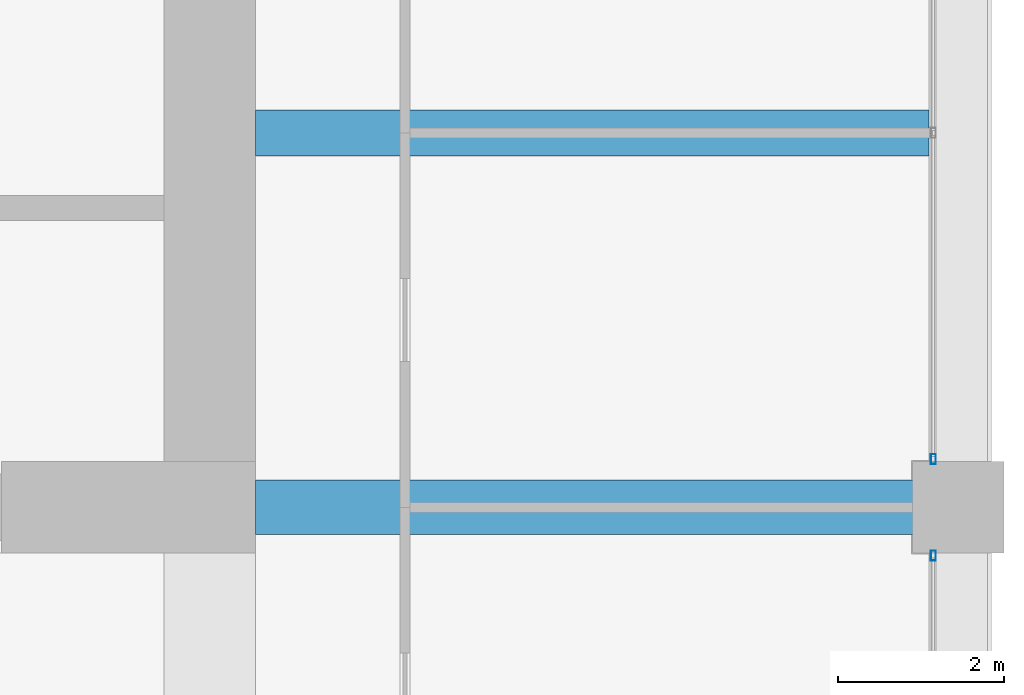
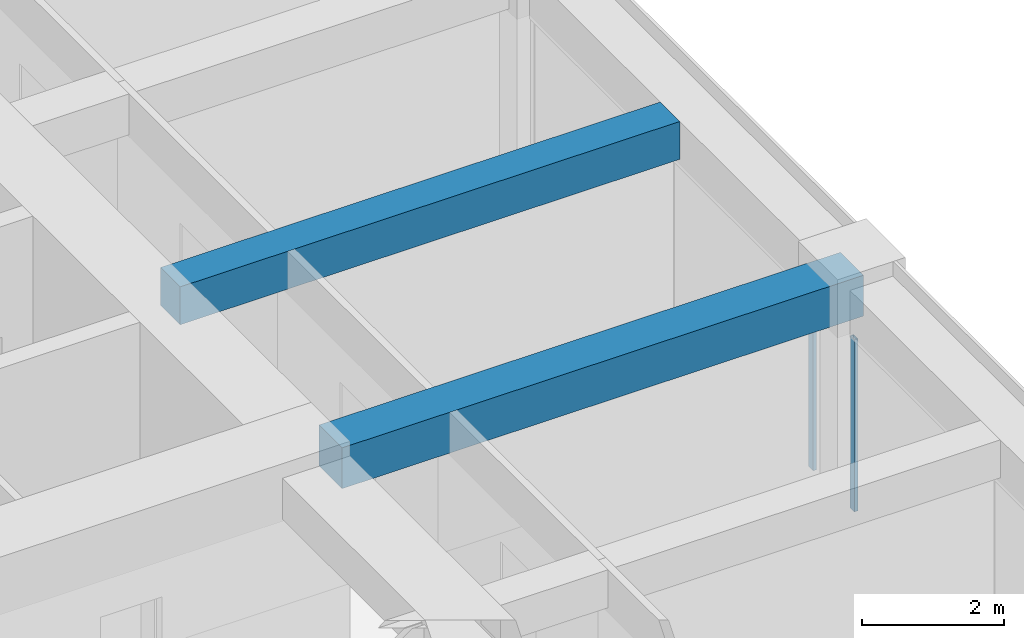
# One storey, part 24 of 45: 2 beams, 2 members, 2 elements without a shape of their own.
"""IFC4 building model written with IfcOpenShell, lengths in metres."""

from ifc_helpers import new_model, si_unit, direction, frame, origin, origin_2d, place, context, subcontext, project, spatial, rectangle, hollow_rectangle, extrude, material, material_profile, profile_set, type_object, element, aggregate, save


model = new_model("IFC4")

# Units and contexts
model_context = context("Model", 3, precision=1e-05, world=origin(), true_north=direction((0.0, 1.0)))
body_context = subcontext(model_context, "Body", "Model", "MODEL_VIEW")
ifc_project = project(units=[si_unit("LENGTHUNIT", "METRE"), si_unit("AREAUNIT", "SQUARE_METRE"), si_unit("VOLUMEUNIT", "CUBIC_METRE"), si_unit("PLANEANGLEUNIT", "RADIAN"), si_unit("MASSUNIT", "GRAM", prefix="KILO")], contexts=[model_context])

# Site, building, storey
site_placement = place(None, origin())
site = spatial("IfcSite", under=ifc_project, at=site_placement, CompositionType="ELEMENT")
building_placement = place(site_placement, origin())
building = spatial("IfcBuilding", under=site, at=building_placement, Name="Zorevar Civic Tower", CompositionType="ELEMENT")
storey_placement = place(building_placement, frame((0.0, 0.0, 291.39990234375)))
storey = spatial("IfcBuildingStorey", under=building, at=storey_placement, Name="L71", CompositionType="ELEMENT", Elevation=291.39990234375)

# Beams
ifc_material_1 = material(Name="Concrete C50/60", Category="concrete")
ifc_material_profile_1 = material_profile(ifc_material_1, rectangle(XDim=0.550048828125, YDim=0.64990234375, at=origin_2d()), Name="RC 550x650")
ifc_profile_set_1 = profile_set([ifc_material_profile_1], Name="Concrete C50/60")
beam_type_1 = type_object("IfcBeamType", Name="Beam RC 550x650", PredefinedType="BEAM", material=ifc_profile_set_1)
beam_1_placement = place(storey_placement, frame((45.550048828125, 22.5, 3.425048828125), z_axis=(1.0, 0.0, 0.0), x_axis=(0.0, 1.0, 0.0)))
element("IfcBeam", 1, at=beam_1_placement, inside=storey, type_object=beam_type_1, Name="Secondary beam L72", PredefinedType="BEAM", context=body_context, shape_type="SweptSolid", body=[
    extrude(rectangle(XDim=0.550048828125, YDim=0.64990234375, at=origin_2d()), origin(), (0.0, 0.0, 1.0), 8.099853515625),
])
ifc_material_2 = material(Name="Concrete C50/60", Category="concrete")
ifc_material_profile_2 = material_profile(ifc_material_2, rectangle(XDim=0.64990234375, YDim=0.699951171875, at=origin_2d()), Name="RC 650x700")
ifc_profile_set_2 = profile_set([ifc_material_profile_2], Name="Concrete C50/60")
beam_type_2 = type_object("IfcBeamType", Name="Beam RC 650x700", PredefinedType="BEAM", material=ifc_profile_set_2)
beam_2_placement = place(storey_placement, frame((45.550048828125, 18.0, 3.400146484375), z_axis=(1.0, 0.0, 0.0), x_axis=(0.0, 1.0, 0.0)))
element("IfcBeam", 2, at=beam_2_placement, inside=storey, type_object=beam_type_2, Name="Girder L72", PredefinedType="BEAM", context=body_context, shape_type="SweptSolid", body=[
    extrude(rectangle(XDim=0.64990234375, YDim=0.699951171875, at=origin_2d()), origin(), (0.0, 0.0, 1.0), 8.449951171875),
])

# Curtain wall, member
ifc_material_3 = material(Name="Dark grey solar-control glass in black aluminium frame", Category="aluminium")
curtain_wall_type = type_object("IfcCurtainWallType", Name="Curtain wall CW5 top zone", PredefinedType="NOTDEFINED", material=ifc_material_3)
curtain_wall_1_placement = place(storey_placement, origin())
curtain_wall_1 = element("IfcCurtainWall", 3, at=curtain_wall_1_placement, inside=storey, type_object=curtain_wall_type, Name="CW5 L71", PredefinedType="NOTDEFINED")
ifc_material_4 = material(Name="Aluminium, black anodised", Category="aluminium")
ifc_material_profile_3 = material_profile(ifc_material_4, hollow_rectangle(XDim=0.06005859375, YDim=0.1201171875, WallThickness=0.0029296875, at=origin_2d()), Name="AL 120x60x3")
ifc_profile_set_3 = profile_set([ifc_material_profile_3], Name="Aluminium, black anodised")
member_type = type_object("IfcMemberType", Name="CW5 mullion AL 120x60x3", PredefinedType="MULLION", material=ifc_profile_set_3)
member_1_placement = place(storey_placement, frame((53.699951171875, 17.419921875, 0.0), z_axis=(0.0, 0.0, 1.0), x_axis=(-1.0, 0.0, 0.0)))
member_1 = element("IfcMember", 4, at=member_1_placement, type_object=member_type, Name="CW5 mullion 3", PredefinedType="MULLION", context=body_context, shape_type="SweptSolid", body=[
    extrude(hollow_rectangle(XDim=0.06005859375, YDim=0.1201171875, WallThickness=0.0029296875, at=origin_2d()), origin(), (0.0, 0.0, 1.0), 2.9501953125),
])
aggregate(curtain_wall_1, [member_1])

curtain_wall_2_placement = place(storey_placement, origin())
curtain_wall_2 = element("IfcCurtainWall", 5, at=curtain_wall_2_placement, inside=storey, type_object=curtain_wall_type, Name="CW5 L71", PredefinedType="NOTDEFINED")
member_2_placement = place(storey_placement, frame((53.699951171875, 18.580078125, 0.0), z_axis=(0.0, 0.0, 1.0), x_axis=(-1.0, 0.0, 0.0)))
member_2 = element("IfcMember", 6, at=member_2_placement, type_object=member_type, Name="CW5 mullion 1", PredefinedType="MULLION", context=body_context, shape_type="SweptSolid", body=[
    extrude(hollow_rectangle(XDim=0.06005859375, YDim=0.1201171875, WallThickness=0.0029296875, at=origin_2d()), origin(), (0.0, 0.0, 1.0), 2.9501953125),
])
aggregate(curtain_wall_2, [member_2])

save(model, "model.ifc")
